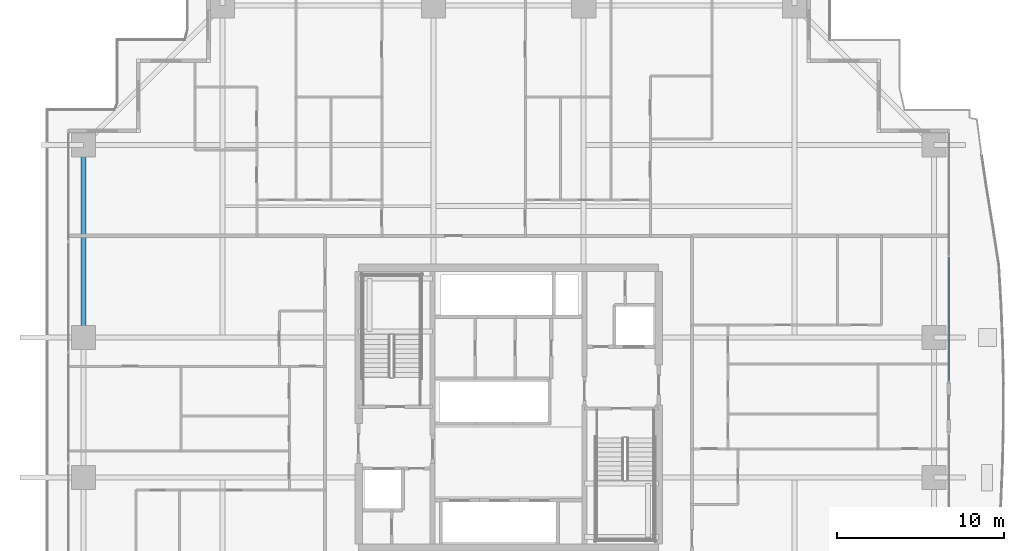
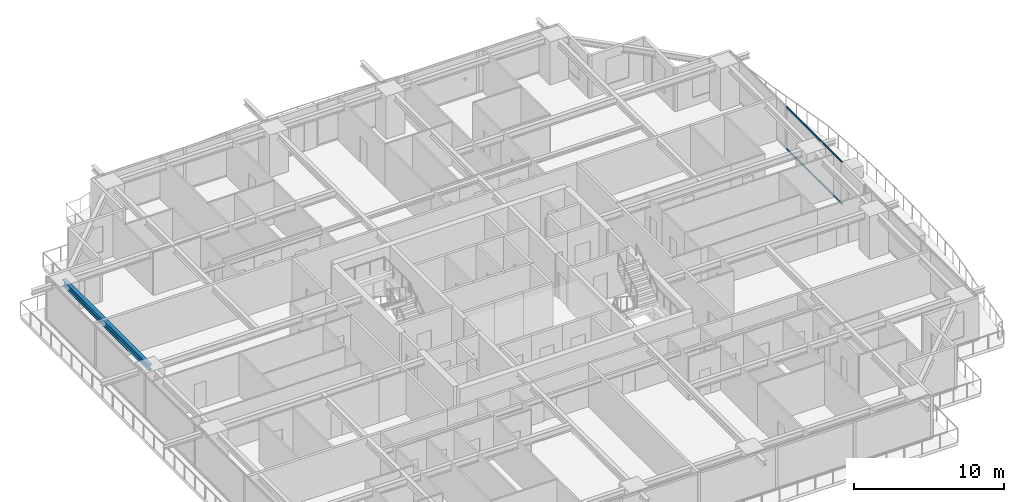
# One storey, part 15 of 39: 2 members, 1 beam, 1 element without a shape of its own.
"""IFC4 building model written with IfcOpenShell, lengths in metres."""

import ifcopenshell
import ifcopenshell.guid

model = None  # the IFC model being written
_history = None  # IfcOwnerHistory: only IFC2X3 demands one
_inside = {}  # id of a spatial element -> (the spatial element, [elements in it])
_under = {}  # id of a project, library or spatial element -> (it, [spatial elements below it])
_declared = {}  # id of a project -> (the project, [libraries it declares])
_typed = {}  # id of a type object -> (the type object, [elements of that type])
_made_of = {}  # id of a material, layer set ... -> (it, [elements and type objects made of it])


def new_model(schema):
    """Start an empty IFC model of exactly this schema.

    Asked for "IFC4X3", IfcOpenShell would pick the latest addendum, in which some entities
    have other attributes; the version numbers below select the first issue.
    IFC2X3 requires an IfcOwnerHistory on every rooted entity: one is made here for all.
    """
    global model, _history
    if schema == "IFC4X3":
        model = ifcopenshell.file(schema_version=(4, 3, 0, 0))
    else:
        model = ifcopenshell.file(schema=schema)
    _inside.clear()
    _under.clear()
    _declared.clear()
    _typed.clear()
    _made_of.clear()
    _history = None
    if model.schema == "IFC2X3":
        org = make("IfcOrganization", Name="unknown")
        user = make(
            "IfcPersonAndOrganization",
            ThePerson=make("IfcPerson", FamilyName="unknown"),
            TheOrganization=org,
        )
        app = make(
            "IfcApplication",
            ApplicationDeveloper=org,
            Version="unknown",
            ApplicationFullName="unknown",
            ApplicationIdentifier="unknown",
        )
        _history = make(
            "IfcOwnerHistory",
            OwningUser=user,
            OwningApplication=app,
            ChangeAction="ADDED",
            CreationDate=0,
        )
    return model


def make(cls, **values):
    """One entity of the class cls with the attributes given. An attribute that is None is left unset."""
    return model.create_entity(
        cls, **{name: value for name, value in values.items() if value is not None}
    )


def rooted(cls, **values):
    """An entity with a GlobalId (a new one), such as an element, a storey or a relation."""
    return make(cls, GlobalId=ifcopenshell.guid.new(), OwnerHistory=_history, **values)


def si_unit(unit_type, name, prefix=None):
    """IfcSIUnit, for example si_unit("LENGTHUNIT", "METRE", prefix="MILLI")."""
    return make("IfcSIUnit", UnitType=unit_type, Prefix=prefix, Name=name)


def assignment(units):
    """IfcUnitAssignment: the units of a project."""
    return None if units is None else make("IfcUnitAssignment", Units=units)


def point(xyz):
    """IfcCartesianPoint."""
    return None if xyz is None else make("IfcCartesianPoint", Coordinates=xyz)


def direction(xyz):
    """IfcDirection."""
    return None if xyz is None else make("IfcDirection", DirectionRatios=xyz)


def frame(location, z_axis=None, x_axis=None):
    """IfcAxis2Placement3D, a coordinate frame: its origin and axes. An axis left out is left unset."""
    return make(
        "IfcAxis2Placement3D",
        Location=point(location),
        Axis=direction(z_axis),
        RefDirection=direction(x_axis),
    )


def frame_2d(location, x_axis=None):
    """IfcAxis2Placement2D, a coordinate frame in the plane: its origin and x axis."""
    return make(
        "IfcAxis2Placement2D", Location=point(location), RefDirection=direction(x_axis)
    )


def origin():
    """The frame at (0, 0, 0) with its axes left unset."""
    return frame((0.0, 0.0, 0.0))


def origin_2d():
    """The frame at (0, 0) in the plane with its x axis left unset."""
    return frame_2d((0.0, 0.0))


def place(relative_to, where):
    """IfcLocalPlacement: puts the frame where relative to a parent placement (None: the world)."""
    return make(
        "IfcLocalPlacement", PlacementRelTo=relative_to, RelativePlacement=where
    )


def context(
    kind, dimensions, precision=None, world=None, true_north=None, identifier=None
):
    """IfcGeometricRepresentationContext, for example the 3D "Model" context."""
    return make(
        "IfcGeometricRepresentationContext",
        ContextIdentifier=identifier,
        ContextType=kind,
        CoordinateSpaceDimension=dimensions,
        Precision=precision,
        WorldCoordinateSystem=world,
        TrueNorth=true_north,
    )


def subcontext(parent, identifier, kind, view, scale=None):
    """IfcGeometricRepresentationSubContext, for example "Body" below "Model"."""
    return make(
        "IfcGeometricRepresentationSubContext",
        ContextIdentifier=identifier,
        ContextType=kind,
        ParentContext=parent,
        TargetScale=scale,
        TargetView=view,
    )


def project(units=None, contexts=None):
    """IfcProject with its units and contexts."""
    return rooted(
        "IfcProject",
        Name="project",
        RepresentationContexts=contexts,
        UnitsInContext=assignment(units),
    )


def spatial(cls, under=None, at=None, **own):
    """A site, building, storey or space (cls), placed at a placement, below another one or the project."""
    s = rooted(cls, ObjectPlacement=at, **own)
    if under is not None:
        _under.setdefault(under.id(), (under, []))[1].append(s)
    return s


def profile(cls, at=None, kind="AREA", **sizes):
    """A parametric profile (cls). Its sizes go by their IFC names, for example OverallWidth=200.0."""
    return make(cls, ProfileType=kind, Position=at, **sizes)


def hollow_rectangle(**sizes):
    """IfcRectangleHollowProfileDef."""
    return profile("IfcRectangleHollowProfileDef", **sizes)


def i_section(**sizes):
    """IfcIShapeProfileDef."""
    return profile("IfcIShapeProfileDef", **sizes)


def extrude(swept, where, along, depth):
    """IfcExtrudedAreaSolid: the profile swept, set in the frame where, extruded along a direction by depth."""
    return make(
        "IfcExtrudedAreaSolid",
        SweptArea=swept,
        Position=where,
        ExtrudedDirection=direction(along),
        Depth=depth,
    )


def shape(context_of_items, identifier, shape_type, items):
    """IfcShapeRepresentation: the items that make up one representation, for example the "Body"."""
    return make(
        "IfcShapeRepresentation",
        ContextOfItems=context_of_items,
        RepresentationIdentifier=identifier,
        RepresentationType=shape_type,
        Items=items,
    )


def source(mapping_origin, context_of_items, identifier, shape_type, items):
    """IfcRepresentationMap: a shape defined once, which mapped items show again and again."""
    return make(
        "IfcRepresentationMap",
        MappingOrigin=mapping_origin,
        MappedRepresentation=shape(context_of_items, identifier, shape_type, items),
    )


def transform(
    local_origin,
    x_axis=None,
    y_axis=None,
    z_axis=None,
    scale=None,
    scale2=None,
    scale3=None,
    uniform=True,
):
    """IfcCartesianTransformationOperator3D, or its non-uniform kind. x_axis, y_axis, z_axis: its Axis1, 2, 3."""
    if uniform:
        return make(
            "IfcCartesianTransformationOperator3D",
            Axis1=direction(x_axis),
            Axis2=direction(y_axis),
            LocalOrigin=point(local_origin),
            Scale=scale,
            Axis3=direction(z_axis),
        )
    return make(
        "IfcCartesianTransformationOperator3DnonUniform",
        Axis1=direction(x_axis),
        Axis2=direction(y_axis),
        LocalOrigin=point(local_origin),
        Scale=scale,
        Axis3=direction(z_axis),
        Scale2=scale2,
        Scale3=scale3,
    )


def mapped(mapping_source, mapping_target):
    """IfcMappedItem: shows the shape of a source again, moved by a transform."""
    return make(
        "IfcMappedItem", MappingSource=mapping_source, MappingTarget=mapping_target
    )


def material(Name=None, Category=None):
    """IfcMaterial."""
    return make("IfcMaterial", Name=Name, Category=Category)


def layer(
    of_material, thickness, ventilated=None, Name=None, Category=None, Priority=None
):
    """IfcMaterialLayer: one layer of a wall or slab, of a material (None: an air gap)."""
    return make(
        "IfcMaterialLayer",
        Material=of_material,
        LayerThickness=thickness,
        IsVentilated=ventilated,
        Name=Name,
        Category=Category,
        Priority=Priority,
    )


def layer_set(layers, Name=None):
    """IfcMaterialLayerSet."""
    return make("IfcMaterialLayerSet", MaterialLayers=layers, LayerSetName=Name)


def material_profile(
    of_material, cross_section, Name=None, Category=None, Priority=None
):
    """IfcMaterialProfile: a cross section and its material."""
    return make(
        "IfcMaterialProfile",
        Name=Name,
        Material=of_material,
        Profile=cross_section,
        Priority=Priority,
        Category=Category,
    )


def profile_set(profiles, Name=None, composite=None):
    """IfcMaterialProfileSet."""
    return make(
        "IfcMaterialProfileSet",
        Name=Name,
        MaterialProfiles=profiles,
        CompositeProfile=composite,
    )


def made_of(thing, what):
    """Note that an element or type object is made of a material, layer set ...; save() writes the relation."""
    if what is not None:
        _made_of.setdefault(what.id(), (what, []))[1].append(thing)
    return thing


def type_object(cls, material=None, **own):
    """A type object (cls), such as IfcWallType, which elements share."""
    return made_of(rooted(cls, **own), material)


def element(
    cls,
    number,
    at=None,
    inside=None,
    cuts=None,
    type_object=None,
    material=None,
    context=None,
    identifier="Body",
    shape_type=None,
    held_by="IfcProductDefinitionShape",
    body=None,
    shapes=None,
    **own,
):
    """One element of the class cls, such as IfcWall. Its Tag is "e" and its number.

    at: its placement. inside: the storey or other place that contains it. cuts: it is an
    opening in that element (IfcRelVoidsElement). A single representation is given by context,
    identifier, shape_type and body (its items); several are given by shapes. held_by: the class
    of the entity that holds the representations. save() writes the other relations.
    """
    e = rooted(cls, Tag="e%d" % number, ObjectPlacement=at, **own)
    if body is not None:
        shapes = [shape(context, identifier, shape_type, body)]
    if shapes is not None:
        e.Representation = make(held_by, Representations=shapes)
    if inside is not None:
        _inside.setdefault(inside.id(), (inside, []))[1].append(e)
    if cuts is not None:
        rooted(
            "IfcRelVoidsElement", RelatingBuildingElement=cuts, RelatedOpeningElement=e
        )
    if type_object is not None:
        _typed.setdefault(type_object.id(), (type_object, []))[1].append(e)
    return made_of(e, material)


def aggregate(whole, parts):
    """IfcRelAggregates: a whole, such as a stair, and the parts it consists of."""
    return rooted("IfcRelAggregates", RelatingObject=whole, RelatedObjects=parts)


def save(model, path):
    """Write the relations noted so far, then the file.

    IfcRelAggregates (storeys below a building ...), IfcRelContainedInSpatialStructure (elements
    in a storey), IfcRelDefinesByType, IfcRelAssociatesMaterial and IfcRelDeclares: one each for
    every whole, place, type object, material and project.
    """
    for whole, parts in _under.values():
        aggregate(whole, parts)
    for where, things in _inside.values():
        rooted(
            "IfcRelContainedInSpatialStructure",
            RelatedElements=things,
            RelatingStructure=where,
        )
    for kind, things in _typed.values():
        rooted("IfcRelDefinesByType", RelatedObjects=things, RelatingType=kind)
    for what, things in _made_of.values():
        rooted("IfcRelAssociatesMaterial", RelatedObjects=things, RelatingMaterial=what)
    for by, libraries in _declared.values():
        rooted("IfcRelDeclares", RelatingContext=by, RelatedDefinitions=libraries)
    model.write(path)


model = new_model("IFC4")

# Units and contexts
model_context = context("Model", 3, precision=1e-05, world=origin(), true_north=direction((0.0, 1.0)))
body_context = subcontext(model_context, "Body", "Model", "MODEL_VIEW")
ifc_project = project(units=[si_unit("LENGTHUNIT", "METRE"), si_unit("AREAUNIT", "SQUARE_METRE"), si_unit("VOLUMEUNIT", "CUBIC_METRE"), si_unit("PLANEANGLEUNIT", "RADIAN"), si_unit("MASSUNIT", "GRAM", prefix="KILO")], contexts=[model_context])

# Site, building, storey
site_placement = place(None, origin())
site = spatial("IfcSite", under=ifc_project, at=site_placement, CompositionType="ELEMENT")
building_placement = place(site_placement, origin())
building = spatial("IfcBuilding", under=site, at=building_placement, Name="Serunith Strait Residences", CompositionType="ELEMENT")
storey_placement = place(building_placement, frame((0.0, 0.0, 97.949951171875)))
storey = spatial("IfcBuildingStorey", under=building, at=storey_placement, Name="L24", CompositionType="ELEMENT", Elevation=97.949951171875)

# Beam
ifc_material_1 = material(Name="Steel S355J2", Category="steel")
ifc_material_profile_1 = material_profile(ifc_material_1, i_section(OverallWidth=0.300048828125, OverallDepth=0.5, WebThickness=0.014404296875, FlangeThickness=0.028076171875, FilletRadius=0.027099609375, at=origin_2d()), Name="HEB 500")
ifc_profile_set_1 = profile_set([ifc_material_profile_1], Name="Steel S355J2")
beam_type = type_object("IfcBeamType", Name="BM-HEB500", PredefinedType="BEAM", material=ifc_profile_set_1)
shared_shape_1 = source(origin(), body_context, "Body", "SweptSolid", [
    extrude(i_section(OverallWidth=0.300048828125, OverallDepth=0.5, WebThickness=0.014404296875, FlangeThickness=0.028076171875, FilletRadius=0.027099609375, at=origin_2d()), origin(), (0.0, 0.0, 1.0), 11.550048828125),
])
beam_placement = place(storey_placement, frame((6.89990234375, 40.949951171875, 3.237060546875), z_axis=(0.0, -1.0, 0.0), x_axis=(1.0, 0.0, 0.0)))
element("IfcBeam", 1, at=beam_placement, inside=storey, type_object=beam_type, Name="L24 Perimeter Ring Beam 13", PredefinedType="BEAM", context=body_context, shape_type="MappedRepresentation", body=[
    mapped(shared_shape_1, transform((0.0, 0.0, 0.0), scale=1.0)),
])

# Curtain wall, members
ifc_material_2 = material(Name="Pale-Champagne Anodised Aluminium", Category="aluminium")
ifc_layer = layer(ifc_material_2, 0.199951171875, Name="Pale-Champagne Anodised Aluminium")
ifc_layer_set = layer_set([ifc_layer], Name="Pale-Champagne Anodised Aluminium")
curtain_wall_type = type_object("IfcCurtainWallType", Name="CW-SYS1", PredefinedType="NOTDEFINED", material=ifc_layer_set)
curtain_wall_placement = place(storey_placement, origin())
curtain_wall = element("IfcCurtainWall", 2, at=curtain_wall_placement, inside=storey, type_object=curtain_wall_type, Name="L24 E Unitised Fritted Curtain Wall", PredefinedType="NOTDEFINED")
ifc_material_profile_2 = material_profile(ifc_material_2, hollow_rectangle(XDim=0.06005859375, YDim=0.159912109375, WallThickness=0.00341796875, InnerFilletRadius=0.00537109375, OuterFilletRadius=0.0087890625, at=origin_2d()), Name="ALU 160x60x3.5")
ifc_profile_set_2 = profile_set([ifc_material_profile_2], Name="Pale-Champagne Anodised Aluminium")
member_type = type_object("IfcMemberType", Name="CW-SYS1-TRAN", PredefinedType="USERDEFINED", material=ifc_profile_set_2)
shared_shape_2 = source(origin(), body_context, "Body", "SweptSolid", [
    extrude(hollow_rectangle(XDim=0.06005859375, YDim=0.159912109375, WallThickness=0.00341796875, InnerFilletRadius=0.00537109375, OuterFilletRadius=0.0087890625, at=origin_2d()), origin(), (0.0, 0.0, 1.0), 7.445068359375),
])
member_1_placement = place(storey_placement, frame((58.800048828125, 26.77001953125, 0.030029296875), z_axis=(0.0, 1.0, 0.0), x_axis=(-1.0, 0.0, 0.0)))
member_1 = element("IfcMember", 3, at=member_1_placement, type_object=member_type, Name="CW-1 transom 1.1", ObjectType="TRANSOM", PredefinedType="USERDEFINED", context=body_context, shape_type="MappedRepresentation", body=[
    mapped(shared_shape_2, transform((0.0, 0.0, 0.0), scale=1.0)),
])
member_2_placement = place(storey_placement, frame((58.800048828125, 26.77001953125, 3.445068359375), z_axis=(0.0, 1.0, 0.0), x_axis=(-1.0, 0.0, 0.0)))
member_2 = element("IfcMember", 4, at=member_2_placement, type_object=member_type, Name="CW-1 transom 1.2", ObjectType="TRANSOM", PredefinedType="USERDEFINED", context=body_context, shape_type="MappedRepresentation", body=[
    mapped(shared_shape_2, transform((0.0, 0.0, 0.0), scale=1.0)),
])
aggregate(curtain_wall, [member_1, member_2])

save(model, "model.ifc")
